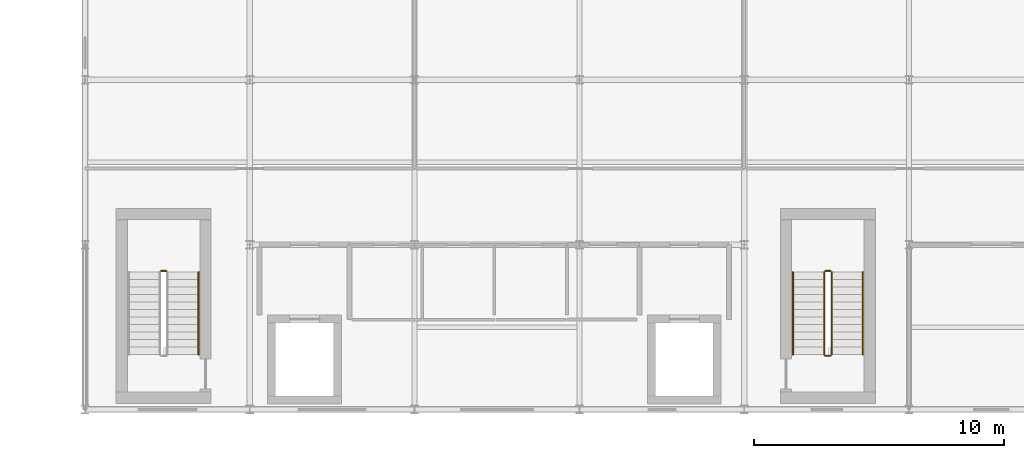
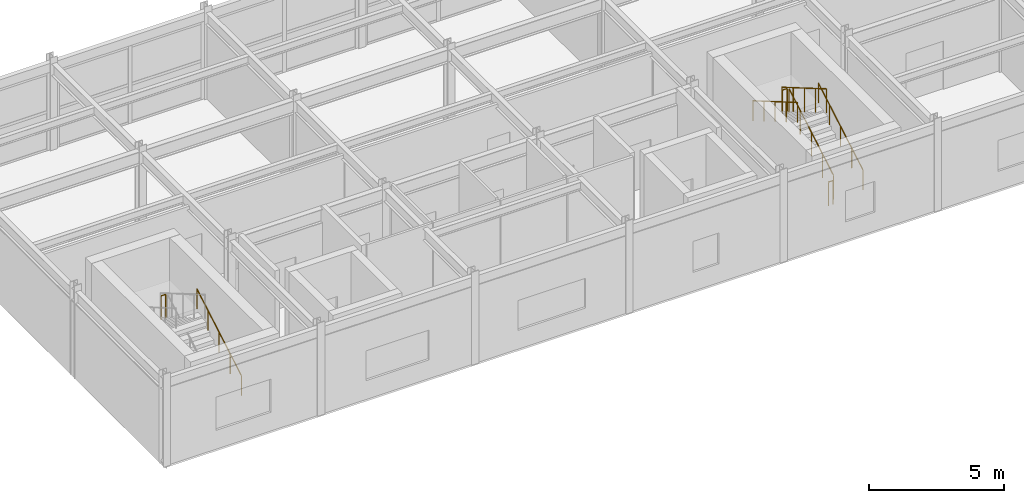
# One storey, part 101 of 106: 8 railings.
"""IFC4 building model written with IfcOpenShell, lengths in metres."""

from ifc_helpers import new_model, si_unit, direction, frame, origin, origin_2d, place, context, subcontext, project, spatial, circle, extrude, material, type_object, element, save


model = new_model("IFC4")

# Units and contexts
model_context = context("Model", 3, precision=1e-05, world=origin(), true_north=direction((0.0, 1.0)))
body_context = subcontext(model_context, "Body", "Model", "MODEL_VIEW")
ifc_project = project(units=[si_unit("LENGTHUNIT", "METRE"), si_unit("AREAUNIT", "SQUARE_METRE"), si_unit("VOLUMEUNIT", "CUBIC_METRE"), si_unit("PLANEANGLEUNIT", "RADIAN"), si_unit("MASSUNIT", "GRAM", prefix="KILO")], contexts=[model_context])

# Site, building, storey
site_placement = place(None, origin())
site = spatial("IfcSite", under=ifc_project, at=site_placement, CompositionType="ELEMENT")
building_placement = place(site_placement, origin())
building = spatial("IfcBuilding", under=site, at=building_placement, Name="Karori Crest Natural Sciences Institute", CompositionType="ELEMENT")
storey_placement = place(building_placement, frame((0.0, 0.0, 25.89990234375)))
storey = spatial("IfcBuildingStorey", under=building, at=storey_placement, Name="L06", CompositionType="ELEMENT", Elevation=25.89990234375)

# Railings
ifc_material_1 = material(Name="Stainless steel 316 tubular handrail", Category="steel")
railing_type_1 = type_object("IfcRailingType", Name="RLT-HND", PredefinedType="HANDRAIL", material=ifc_material_1)
for number, where, name in (
    (1, (108.14990234375, 3.0, 0.175048828125), "Stair handrail RL-0139"),
    (2, (134.75, 3.0, 0.175048828125), "Stair handrail RL-0206"),
):
    element("IfcRailing", number, at=place(storey_placement, frame(where)), inside=storey, type_object=railing_type_1, Name=name, PredefinedType="HANDRAIL", context=body_context, shape_type="SweptSolid", body=[
        extrude(circle(Radius=0.02392578125, at=origin_2d()), frame((0.0, 0.0, 0.90087890625), z_axis=(0.0, 0.863776583165, 0.503874998761), x_axis=(-1.0, 0.0, 0.0)), (0.0, 0.0, 1.0), 3.820556640625),
        extrude(circle(Radius=0.02099609375, at=origin_2d()), origin(), (0.0, 0.0, 1.0), 0.876953125),
        extrude(circle(Radius=0.02099609375, at=origin_2d()), frame((0.0, 0.824951171875, 0.481201171875)), (0.0, 0.0, 1.0), 0.876953125),
        extrude(circle(Radius=0.02099609375, at=origin_2d()), frame((0.0, 1.64990234375, 0.96240234375)), (0.0, 0.0, 1.0), 0.876953125),
        extrude(circle(Radius=0.02099609375, at=origin_2d()), frame((0.0, 2.47509765625, 1.44384765625)), (0.0, 0.0, 1.0), 0.876953125),
        extrude(circle(Radius=0.02099609375, at=origin_2d()), frame((0.0, 3.300048828125, 1.925048828125)), (0.0, 0.0, 1.0), 0.876953125),
    ])
railing_1_placement = place(storey_placement, frame((131.949951171875, 6.300048828125, 2.275146484375)))
element("IfcRailing", 3, at=railing_1_placement, inside=storey, type_object=railing_type_1, Name="Stair handrail RL-0207", PredefinedType="HANDRAIL", context=body_context, shape_type="SweptSolid", body=[
    extrude(circle(Radius=0.02392578125, at=origin_2d()), frame((0.0, 0.0, 0.90087890625), z_axis=(0.0, -0.863776583165, 0.503874998761), x_axis=(1.0, 0.0, 0.0)), (0.0, 0.0, 1.0), 3.820556640625),
    extrude(circle(Radius=0.02099609375, at=origin_2d()), origin(), (0.0, 0.0, 1.0), 0.876953125),
    extrude(circle(Radius=0.02099609375, at=origin_2d()), frame((0.0, -0.824951171875, 0.481201171875)), (0.0, 0.0, 1.0), 0.876953125),
    extrude(circle(Radius=0.02099609375, at=origin_2d()), frame((0.0, -1.64990234375, 0.96240234375)), (0.0, 0.0, 1.0), 0.876953125),
    extrude(circle(Radius=0.02099609375, at=origin_2d()), frame((0.0, -2.47509765625, 1.44384765625)), (0.0, 0.0, 1.0), 0.876953125),
    extrude(circle(Radius=0.02099609375, at=origin_2d()), frame((0.0, -3.300048828125, 1.925048828125)), (0.0, 0.0, 1.0), 0.876953125),
])
ifc_material_2 = material(Name="Stainless steel 316 stair guard", Category="steel")
railing_type_2 = type_object("IfcRailingType", Name="RLT-STG", PredefinedType="GUARDRAIL", material=ifc_material_2)
railing_2_placement = place(storey_placement, frame((106.85009765625, 6.35009765625, 2.10009765625)))
element("IfcRailing", 4, at=railing_2_placement, inside=storey, type_object=railing_type_2, Name="Stair guard RL-0136", PredefinedType="GUARDRAIL", context=body_context, shape_type="SweptSolid", body=[
    extrude(circle(Radius=0.02392578125, at=origin_2d()), frame((0.0, 0.0, 1.076171875), z_axis=(-1.0, 0.0, 0.0), x_axis=(0.0, -1.0, 0.0)), (0.0, 0.0, 1.0), 0.2001953125),
    extrude(circle(Radius=0.02099609375, at=origin_2d()), origin(), (0.0, 0.0, 1.0), 1.052001953125),
    extrude(circle(Radius=0.02099609375, at=origin_2d()), frame((-0.2001953125, 0.0, 0.0)), (0.0, 0.0, 1.0), 1.052001953125),
])
railing_3_placement = place(storey_placement, frame((133.5, 3.0, 0.175048828125)))
element("IfcRailing", 5, at=railing_3_placement, inside=storey, type_object=railing_type_2, Name="Stair guard RL-0202", PredefinedType="GUARDRAIL", context=body_context, shape_type="SweptSolid", body=[
    extrude(circle(Radius=0.02392578125, at=origin_2d()), frame((0.0, 0.0, 1.076171875), z_axis=(0.0, 0.863776583165, 0.503874998761), x_axis=(-1.0, 0.0, 0.0)), (0.0, 0.0, 1.0), 3.820556640625),
    extrude(circle(Radius=0.02099609375, at=origin_2d()), origin(), (0.0, 0.0, 1.0), 1.052001953125),
    extrude(circle(Radius=0.02099609375, at=origin_2d()), frame((0.0, 0.824951171875, 0.481201171875)), (0.0, 0.0, 1.0), 1.052001953125),
    extrude(circle(Radius=0.02099609375, at=origin_2d()), frame((0.0, 1.64990234375, 0.96240234375)), (0.0, 0.0, 1.0), 1.052001953125),
    extrude(circle(Radius=0.02099609375, at=origin_2d()), frame((0.0, 2.47509765625, 1.44384765625)), (0.0, 0.0, 1.0), 1.052001953125),
    extrude(circle(Radius=0.02099609375, at=origin_2d()), frame((0.0, 3.300048828125, 1.925048828125)), (0.0, 0.0, 1.0), 1.052001953125),
])
railing_4_placement = place(storey_placement, frame((133.449951171875, 6.35009765625, 2.10009765625)))
element("IfcRailing", 6, at=railing_4_placement, inside=storey, type_object=railing_type_2, Name="Stair guard RL-0203", PredefinedType="GUARDRAIL", context=body_context, shape_type="SweptSolid", body=[
    extrude(circle(Radius=0.02392578125, at=origin_2d()), frame((0.0, 0.0, 1.076171875), z_axis=(-1.0, 0.0, 0.0), x_axis=(0.0, -1.0, 0.0)), (0.0, 0.0, 1.0), 0.199951171875),
    extrude(circle(Radius=0.02099609375, at=origin_2d()), origin(), (0.0, 0.0, 1.0), 1.052001953125),
    extrude(circle(Radius=0.02099609375, at=origin_2d()), frame((-0.199951171875, 0.0, 0.0)), (0.0, 0.0, 1.0), 1.052001953125),
])
railing_5_placement = place(storey_placement, frame((133.199951171875, 6.300048828125, 2.275146484375)))
element("IfcRailing", 7, at=railing_5_placement, inside=storey, type_object=railing_type_2, Name="Stair guard RL-0204", PredefinedType="GUARDRAIL", context=body_context, shape_type="SweptSolid", body=[
    extrude(circle(Radius=0.02392578125, at=origin_2d()), frame((0.0, 0.0, 1.076171875), z_axis=(0.0, -0.863776583165, 0.503874998761), x_axis=(1.0, 0.0, 0.0)), (0.0, 0.0, 1.0), 3.820556640625),
    extrude(circle(Radius=0.02099609375, at=origin_2d()), origin(), (0.0, 0.0, 1.0), 1.052001953125),
    extrude(circle(Radius=0.02099609375, at=origin_2d()), frame((0.0, -0.824951171875, 0.481201171875)), (0.0, 0.0, 1.0), 1.052001953125),
    extrude(circle(Radius=0.02099609375, at=origin_2d()), frame((0.0, -1.64990234375, 0.96240234375)), (0.0, 0.0, 1.0), 1.052001953125),
    extrude(circle(Radius=0.02099609375, at=origin_2d()), frame((0.0, -2.47509765625, 1.44384765625)), (0.0, 0.0, 1.0), 1.052001953125),
    extrude(circle(Radius=0.02099609375, at=origin_2d()), frame((0.0, -3.300048828125, 1.925048828125)), (0.0, 0.0, 1.0), 1.052001953125),
])
railing_6_placement = place(storey_placement, frame((133.449951171875, 2.949951171875, 0.0)))
element("IfcRailing", 8, at=railing_6_placement, inside=storey, type_object=railing_type_2, Name="Stair guard RL-0205", PredefinedType="GUARDRAIL", context=body_context, shape_type="SweptSolid", body=[
    extrude(circle(Radius=0.02392578125, at=origin_2d()), frame((0.0, 0.0, 1.076171875), z_axis=(-1.0, 0.0, 0.0), x_axis=(0.0, -1.0, 0.0)), (0.0, 0.0, 1.0), 0.199951171875),
    extrude(circle(Radius=0.02099609375, at=origin_2d()), origin(), (0.0, 0.0, 1.0), 1.052001953125),
    extrude(circle(Radius=0.02099609375, at=origin_2d()), frame((-0.199951171875, 0.0, 0.0)), (0.0, 0.0, 1.0), 1.052001953125),
])

save(model, "model.ifc")
